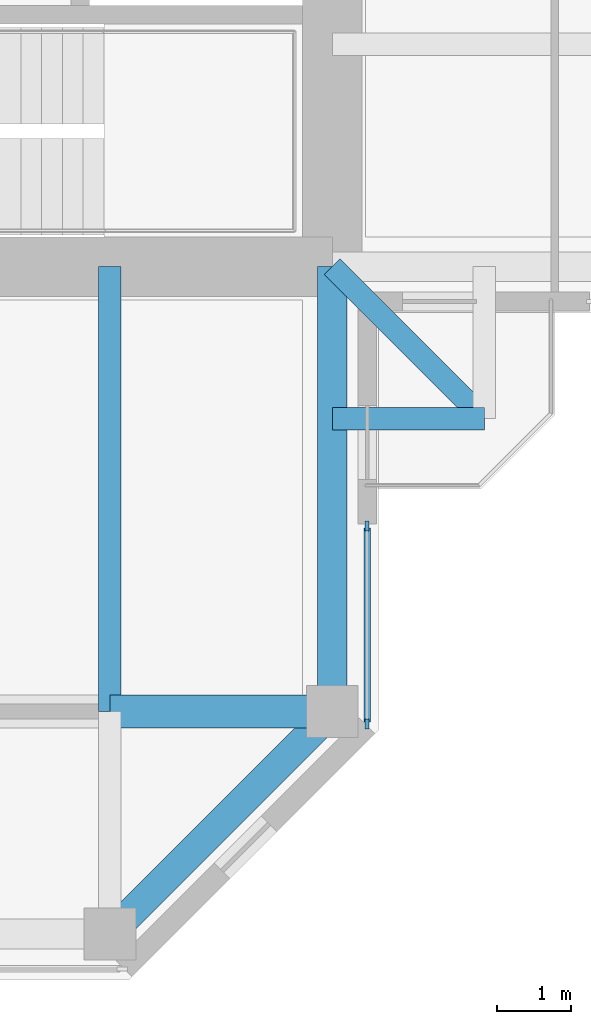
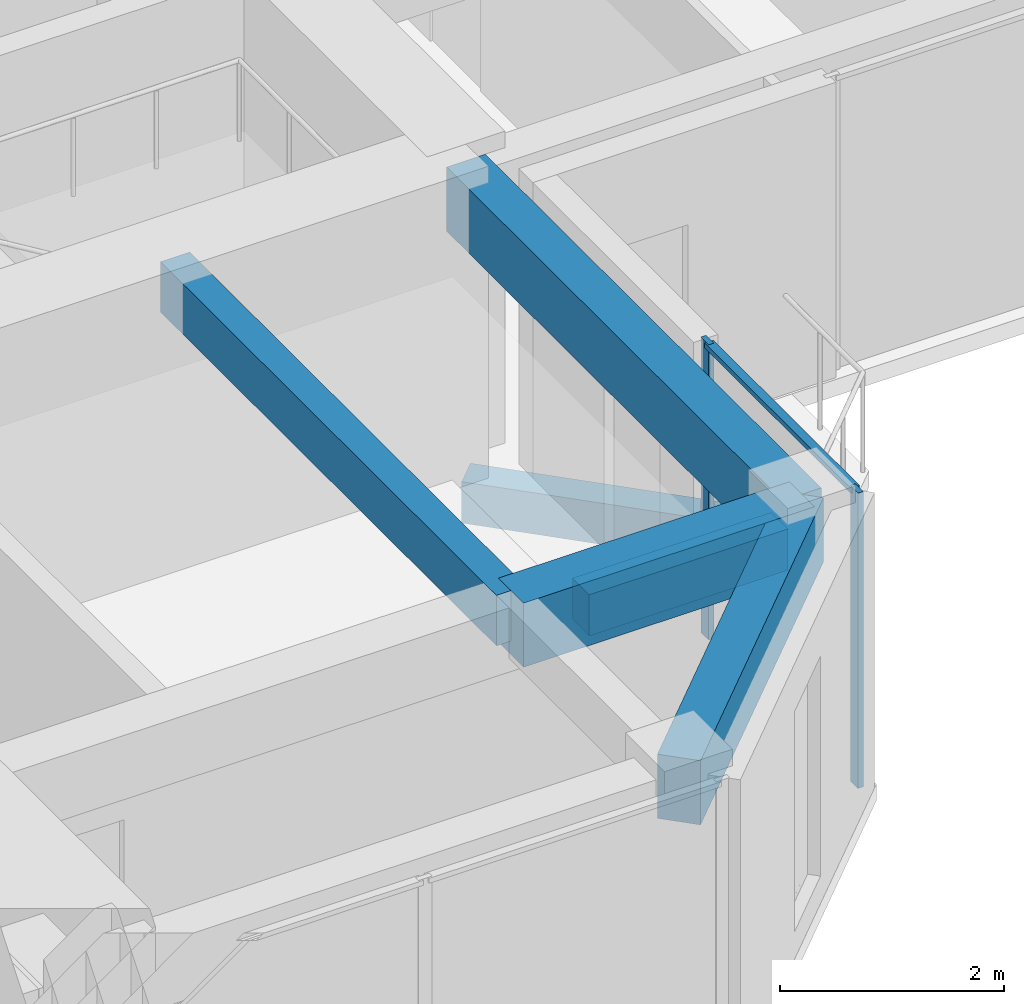
# One storey, part 3 of 14: 6 beams, 3 members, 1 element without a shape of its own.
"""IFC4 building model written with IfcOpenShell, lengths in metres."""

from ifc_helpers import new_model, si_unit, direction, frame, origin, origin_2d, place, context, subcontext, project, spatial, rectangle, extrude, material, material_profile, profile_set, type_object, element, aggregate, save


model = new_model("IFC4")

# Units and contexts
model_context = context("Model", 3, precision=1e-05, world=origin(), true_north=direction((0.0, 1.0)))
body_context = subcontext(model_context, "Body", "Model", "MODEL_VIEW")
ifc_project = project(units=[si_unit("LENGTHUNIT", "METRE"), si_unit("AREAUNIT", "SQUARE_METRE"), si_unit("VOLUMEUNIT", "CUBIC_METRE"), si_unit("PLANEANGLEUNIT", "RADIAN"), si_unit("MASSUNIT", "GRAM", prefix="KILO")], contexts=[model_context])

# Site, building, storey
site_placement = place(None, origin())
site = spatial("IfcSite", under=ifc_project, at=site_placement, CompositionType="ELEMENT")
building_placement = place(site_placement, origin())
building = spatial("IfcBuilding", under=site, at=building_placement, Name="Torre Cruceta", CompositionType="ELEMENT")
storey_placement = place(building_placement, frame((0.0, 0.0, 257.699951171875)))
storey = spatial("IfcBuildingStorey", under=building, at=storey_placement, Name="L66", CompositionType="ELEMENT", Elevation=257.699951171875)

# Beams
ifc_material_1 = material(Name="Concrete G60 (fck 60 MPa)", Category="concrete")
ifc_material_profile_1 = material_profile(ifc_material_1, rectangle(XDim=0.300048828125, YDim=0.449951171875, at=origin_2d()), Name="RC 300X450")
ifc_profile_set_1 = profile_set([ifc_material_profile_1], Name="Concrete G60 (fck 60 MPa)")
beam_type_1 = type_object("IfcBeamType", Name="BALCONY CANTILEVER BEAM RC 300X450", PredefinedType="BEAM", material=ifc_profile_set_1)
beam_1_placement = place(storey_placement, frame((9.0, -9.0, -0.405029296875), z_axis=(0.707106781187, -0.707106781187, 0.0), x_axis=(0.707106781187, 0.707106781187, 0.0)))
element("IfcBeam", 1, at=beam_1_placement, inside=storey, type_object=beam_type_1, Name="BB1 balcony beam L66 S", PredefinedType="BEAM", context=body_context, shape_type="SweptSolid", body=[
    extrude(rectangle(XDim=0.300048828125, YDim=0.449951171875, at=origin_2d()), origin(), (0.0, 0.0, 1.0), 2.89990234375),
])
beam_2_placement = place(storey_placement, frame((9.0, -11.050537109375, -0.405029296875), z_axis=(1.0, 0.0, 0.0), x_axis=(0.0, 1.0, 0.0)))
element("IfcBeam", 2, at=beam_2_placement, inside=storey, type_object=beam_type_1, Name="BB1 balcony edge beam L66 S-Y", PredefinedType="BEAM", context=body_context, shape_type="SweptSolid", body=[
    extrude(rectangle(XDim=0.300048828125, YDim=0.449951171875, at=origin_2d()), origin(), (0.0, 0.0, 1.0), 2.050537109375),
])
ifc_material_2 = material(Name="Concrete G60 (fck 60 MPa)", Category="concrete")
ifc_material_profile_2 = material_profile(ifc_material_2, rectangle(XDim=0.300048828125, YDim=0.550048828125, at=origin_2d()), Name="RC 300X550")
ifc_profile_set_2 = profile_set([ifc_material_profile_2], Name="Concrete G60 (fck 60 MPa)")
beam_type_2 = type_object("IfcBeamType", Name="COLUMN LINE BEAM RC 300X550", PredefinedType="BEAM", material=ifc_profile_set_2)
beam_3_placement = place(storey_placement, frame((6.0, -9.0, 2.945068359375), z_axis=(0.0, -1.0, 0.0), x_axis=(1.0, 0.0, 0.0)))
element("IfcBeam", 3, at=beam_3_placement, inside=storey, type_object=beam_type_2, Name="LB10 L66 S col+ 1", PredefinedType="BEAM", context=body_context, shape_type="SweptSolid", body=[
    extrude(rectangle(XDim=0.300048828125, YDim=0.550048828125, at=origin_2d()), origin(), (0.0, 0.0, 1.0), 6.0),
])
ifc_material_3 = material(Name="Concrete G60 (fck 60 MPa)", Category="concrete")
ifc_material_profile_3 = material_profile(ifc_material_3, rectangle(XDim=0.449951171875, YDim=0.699951171875, at=origin_2d()), Name="RC 450X700")
ifc_profile_set_3 = profile_set([ifc_material_profile_3], Name="Concrete G60 (fck 60 MPa)")
beam_type_3 = type_object("IfcBeamType", Name="CROSS BEAM RC 450X700", PredefinedType="BEAM", material=ifc_profile_set_3)
beam_4_placement = place(storey_placement, frame((6.0, -15.0, 2.8701171875), z_axis=(1.0, 0.0, 0.0), x_axis=(0.0, 1.0, 0.0)))
element("IfcBeam", 4, at=beam_4_placement, inside=storey, type_object=beam_type_3, Name="GB8 L66 S cross15 4", PredefinedType="BEAM", context=body_context, shape_type="SweptSolid", body=[
    extrude(rectangle(XDim=0.449951171875, YDim=0.699951171875, at=origin_2d()), origin(), (0.0, 0.0, 1.0), 3.0),
])

# Curtain wall, members
ifc_material_4 = material(Name="Aluminium unitised curtain wall", Category="aluminium")
curtain_wall_type = type_object("IfcCurtainWallType", Name="CURTAIN WALL CW-E CO-LIVING TOP", PredefinedType="USERDEFINED", material=ifc_material_4)
curtain_wall_placement = place(storey_placement, origin())
curtain_wall = element("IfcCurtainWall", 5, at=curtain_wall_placement, inside=storey, type_object=curtain_wall_type, Name="CW-E L66 S side 19", ObjectType="UNITISED", PredefinedType="USERDEFINED")
ifc_material_5 = material(Name="Aluminium mullion", Category="aluminium")
ifc_material_profile_4 = material_profile(ifc_material_5, rectangle(XDim=0.054931640625, YDim=0.139892578125, at=origin_2d()), Name="AL 55X140")
ifc_profile_set_4 = profile_set([ifc_material_profile_4], Name="Aluminium mullion")
member_type_1 = type_object("IfcMemberType", Name="CW-E MULLION 55X140", PredefinedType="MULLION", material=ifc_profile_set_4)
member_1_placement = place(storey_placement, frame((9.469970703125, -15.167236328125, 0.0), z_axis=(0.0, 0.0, 1.0), x_axis=(-1.0, 0.0, 0.0)))
member_1 = element("IfcMember", 6, at=member_1_placement, type_object=member_type_1, Name="CW-E mullion 1", PredefinedType="MULLION", context=body_context, shape_type="SweptSolid", body=[
    extrude(rectangle(XDim=0.054931640625, YDim=0.139892578125, at=origin_2d()), origin(), (0.0, 0.0, 1.0), 3.219970703125),
])
member_2_placement = place(storey_placement, frame((9.469970703125, -12.49755859375, 0.0), z_axis=(0.0, 0.0, 1.0), x_axis=(-1.0, 0.0, 0.0)))
member_2 = element("IfcMember", 7, at=member_2_placement, type_object=member_type_1, Name="CW-E mullion 2", PredefinedType="MULLION", context=body_context, shape_type="SweptSolid", body=[
    extrude(rectangle(XDim=0.054931640625, YDim=0.139892578125, at=origin_2d()), origin(), (0.0, 0.0, 1.0), 3.219970703125),
])
ifc_material_6 = material(Name="Aluminium transom", Category="aluminium")
ifc_material_profile_5 = material_profile(ifc_material_6, rectangle(XDim=0.090087890625, YDim=0.054931640625, at=origin_2d()), Name="AL 90X55")
ifc_profile_set_5 = profile_set([ifc_material_profile_5], Name="Aluminium transom")
member_type_2 = type_object("IfcMemberType", Name="CW-E TRANSOM 55X90", PredefinedType="USERDEFINED", material=ifc_profile_set_5)
member_3_placement = place(storey_placement, frame((9.469970703125, -15.1396484375, 3.192626953125), z_axis=(0.0, 1.0, 0.0), x_axis=(-1.0, 0.0, 0.0)))
member_3 = element("IfcMember", 8, at=member_3_placement, type_object=member_type_2, Name="CW-E transom 1", ObjectType="TRANSOM", PredefinedType="USERDEFINED", context=body_context, shape_type="SweptSolid", body=[
    extrude(rectangle(XDim=0.090087890625, YDim=0.054931640625, at=origin_2d()), origin(), (0.0, 0.0, 1.0), 2.61474609375),
])
aggregate(curtain_wall, [member_1, member_2, member_3])

# Beams
ifc_material_7 = material(Name="Concrete G60 (fck 60 MPa)", Category="concrete")
ifc_material_profile_6 = material_profile(ifc_material_7, rectangle(XDim=0.39990234375, YDim=0.699951171875, at=origin_2d()), Name="RC 400X700")
ifc_profile_set_6 = profile_set([ifc_material_profile_6], Name="Concrete G60 (fck 60 MPa)")
beam_type_4 = type_object("IfcBeamType", Name="SPANDREL BEAM RC 400X700", PredefinedType="SPANDREL", material=ifc_profile_set_6)
beam_5_placement = place(storey_placement, frame((9.0, -9.0, 2.8701171875), z_axis=(0.0, -1.0, 0.0), x_axis=(1.0, 0.0, 0.0)))
element("IfcBeam", 9, at=beam_5_placement, inside=storey, type_object=beam_type_4, Name="SB8 L66 S side+ 1", PredefinedType="SPANDREL", context=body_context, shape_type="SweptSolid", body=[
    extrude(rectangle(XDim=0.39990234375, YDim=0.699951171875, at=origin_2d()), origin(), (0.0, 0.0, 1.0), 6.0),
])
beam_6_placement = place(storey_placement, frame((9.0, -15.0, 2.8701171875), z_axis=(-0.707106781187, -0.707106781187, 0.0), x_axis=(0.707106781187, -0.707106781187, 0.0)))
element("IfcBeam", 10, at=beam_6_placement, inside=storey, type_object=beam_type_4, Name="SB8 L66 S side+ 2", PredefinedType="SPANDREL", context=body_context, shape_type="SweptSolid", body=[
    extrude(rectangle(XDim=0.39990234375, YDim=0.699951171875, at=origin_2d()), origin(), (0.0, 0.0, 1.0), 4.24267578125),
])

save(model, "model.ifc")
